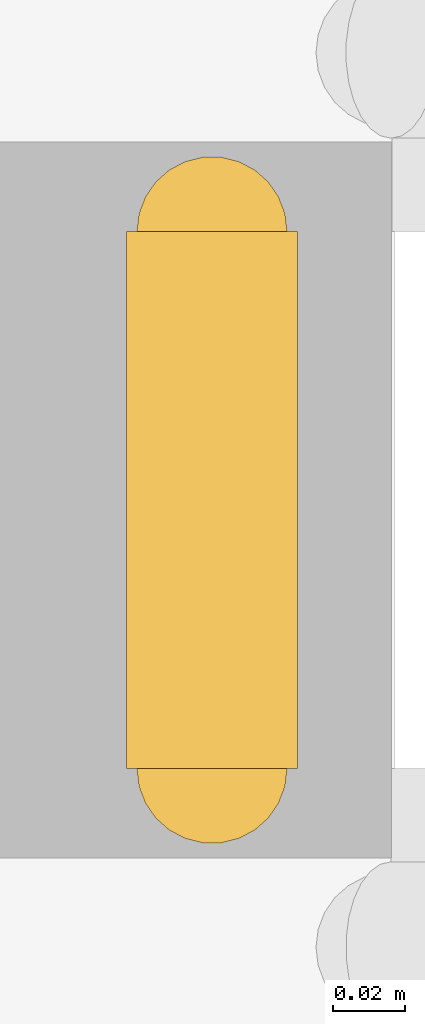
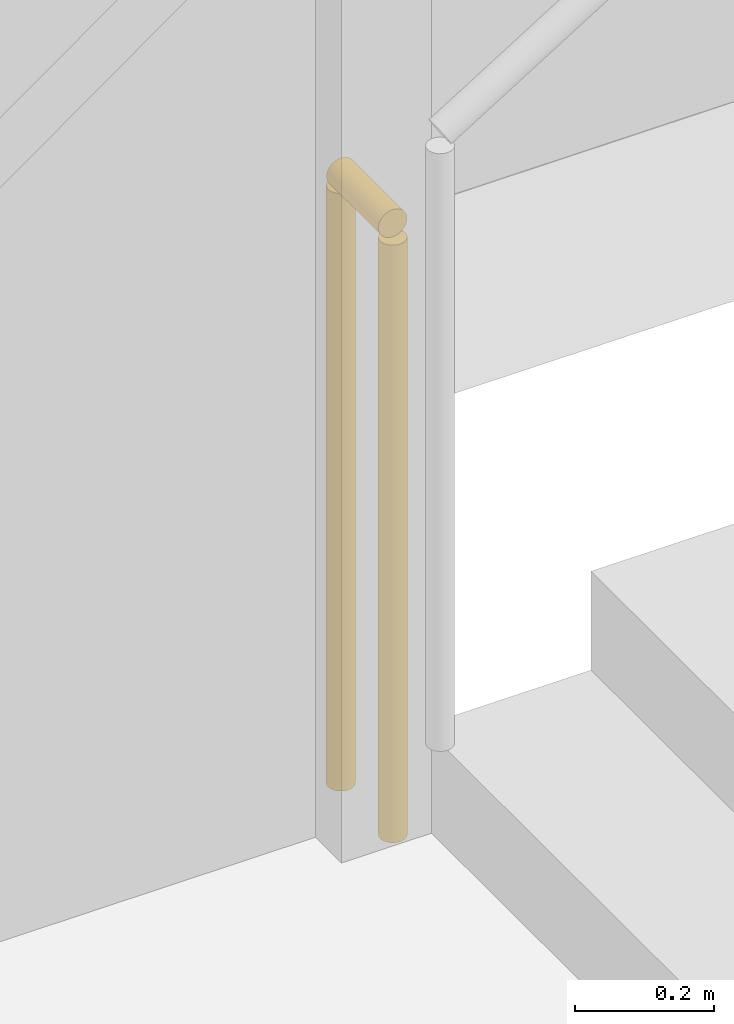
# One storey, part 16 of 22: 1 railing.
"""IFC4 building model written with IfcOpenShell, lengths in metres."""

from ifc_helpers import new_model, si_unit, direction, frame, origin, origin_2d, place, context, subcontext, project, spatial, circle, extrude, material, type_object, element, save


model = new_model("IFC4")

# Units and contexts
model_context = context("Model", 3, precision=1e-05, world=origin(), true_north=direction((0.0, 1.0)))
body_context = subcontext(model_context, "Body", "Model", "MODEL_VIEW")
ifc_project = project(units=[si_unit("LENGTHUNIT", "METRE"), si_unit("AREAUNIT", "SQUARE_METRE"), si_unit("VOLUMEUNIT", "CUBIC_METRE"), si_unit("PLANEANGLEUNIT", "RADIAN"), si_unit("MASSUNIT", "GRAM", prefix="KILO")], contexts=[model_context])

# Site, building, storey
site_placement = place(None, origin())
site = spatial("IfcSite", under=ifc_project, at=site_placement, CompositionType="ELEMENT")
building_placement = place(site_placement, origin())
building = spatial("IfcBuilding", under=site, at=building_placement, Name="Ostrand Prow Hotel Tower", CompositionType="ELEMENT")
storey_placement = place(building_placement, origin())
storey = spatial("IfcBuildingStorey", under=building, at=storey_placement, Name="L00", CompositionType="ELEMENT", Elevation=0.0)

# Railing
ifc_material = material(Name="Painted steel", Category="steel")
railing_type = type_object("IfcRailingType", Name="Stair guard 1100", PredefinedType="GUARDRAIL", material=ifc_material)
railing_placement = place(storey_placement, frame((57.14990234375, -11.699951171875, 0.0)))
element("IfcRailing", 1, at=railing_placement, inside=storey, type_object=railing_type, Name="L00 ST2A stair guard 4", PredefinedType="GUARDRAIL", context=body_context, shape_type="SweptSolid", body=[
    extrude(circle(Radius=0.02392578125, at=origin_2d()), frame((0.0, 0.0, 1.076171875), z_axis=(0.0, 1.0, 0.0), x_axis=(-1.0, 0.0, 0.0)), (0.0, 0.0, 1.0), 0.14990234375),
    extrude(circle(Radius=0.02099609375, at=origin_2d()), origin(), (0.0, 0.0, 1.0), 1.052001953125),
    extrude(circle(Radius=0.02099609375, at=origin_2d()), frame((0.0, 0.14990234375, 0.0)), (0.0, 0.0, 1.0), 1.052001953125),
])

save(model, "model.ifc")
